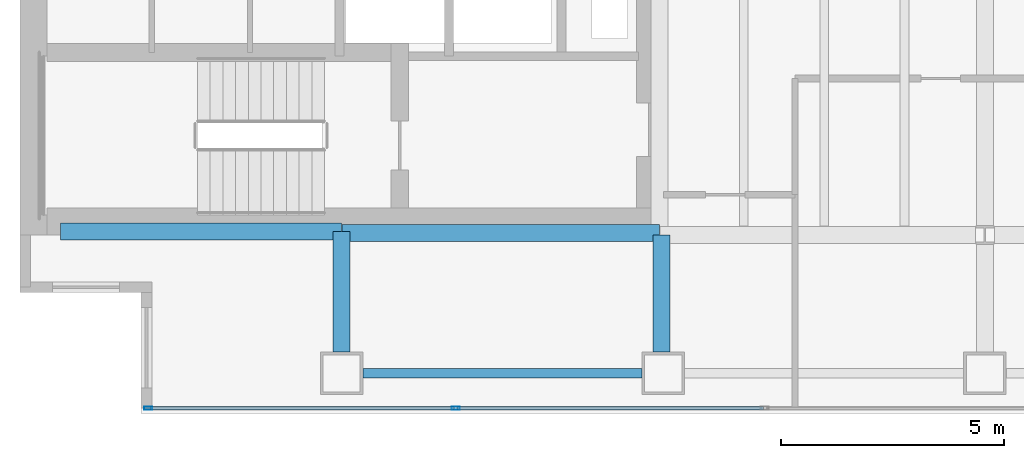
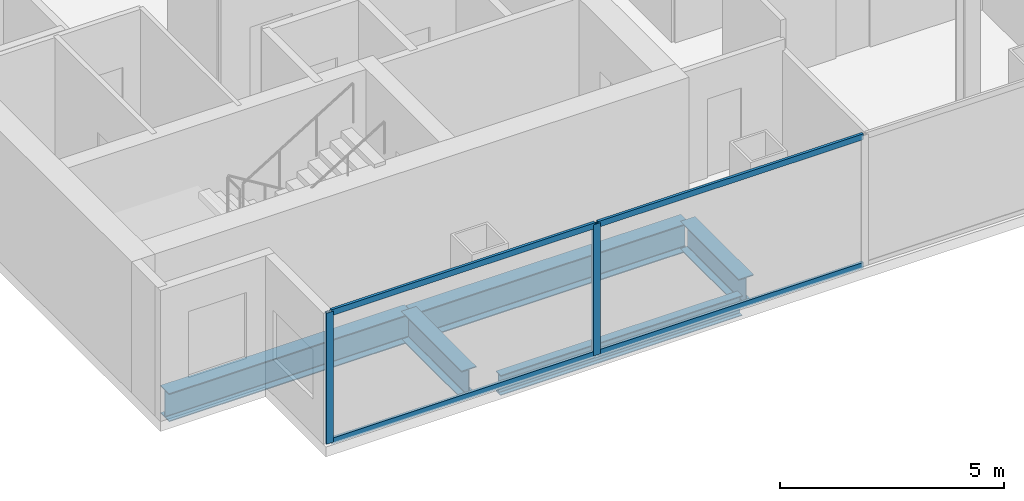
# One storey, part 2 of 24: 6 members, 5 beams, 1 element without a shape of its own.
"""IFC4 building model written with IfcOpenShell, lengths in metres."""

from ifc_helpers import new_model, si_unit, direction, frame, origin, origin_2d, place, context, subcontext, project, spatial, hollow_rectangle, i_section, extrude, material, material_profile, profile_set, type_object, element, aggregate, save


model = new_model("IFC4")

# Units and contexts
model_context = context("Model", 3, precision=1e-05, world=origin(), true_north=direction((0.0, 1.0)))
body_context = subcontext(model_context, "Body", "Model", "MODEL_VIEW")
ifc_project = project(units=[si_unit("LENGTHUNIT", "METRE"), si_unit("AREAUNIT", "SQUARE_METRE"), si_unit("VOLUMEUNIT", "CUBIC_METRE"), si_unit("PLANEANGLEUNIT", "RADIAN"), si_unit("MASSUNIT", "GRAM", prefix="KILO")], contexts=[model_context])

# Site, building, storey
site_placement = place(None, origin())
site = spatial("IfcSite", under=ifc_project, at=site_placement, CompositionType="ELEMENT")
building_placement = place(site_placement, origin())
building = spatial("IfcBuilding", under=site, at=building_placement, Name="Cobrela Telecom Tower", CompositionType="ELEMENT")
storey_placement = place(building_placement, frame((0.0, 0.0, 106.050048828125)))
storey = spatial("IfcBuildingStorey", under=building, at=storey_placement, Name="L26", CompositionType="ELEMENT", Elevation=106.050048828125)

# Beams
ifc_material_1 = material(Name="Steel ASTM A992 Grade 50", Category="steel")
ifc_material_profile_1 = material_profile(ifc_material_1, i_section(OverallWidth=0.381103515625, OverallDepth=0.77197265625, WebThickness=0.0166015625, FlangeThickness=0.027099609375, FilletRadius=0.01904296875, at=origin_2d()), Name="W30X173")
ifc_profile_set_1 = profile_set([ifc_material_profile_1], Name="Steel ASTM A992 Grade 50")
beam_type_1 = type_object("IfcBeamType", Name="BM-GIRD-04", PredefinedType="USERDEFINED", material=ifc_profile_set_1)
beam_1_placement = place(storey_placement, frame((0.905029296875, 7.280029296875, -0.656005859375), z_axis=(1.0, 0.0, 0.0), x_axis=(0.0, 1.0, 0.0)))
element("IfcBeam", 1, at=beam_1_placement, inside=storey, type_object=beam_type_1, Name="L26 Primary Girder X06", ObjectType="GIRDER", PredefinedType="USERDEFINED", context=body_context, shape_type="SweptSolid", body=[
    extrude(i_section(OverallWidth=0.381103515625, OverallDepth=0.77197265625, WebThickness=0.0166015625, FlangeThickness=0.027099609375, FilletRadius=0.01904296875, at=origin_2d()), origin(), (0.0, 0.0, 1.0), 6.2900390625),
])
beam_2_placement = place(storey_placement, frame((7.205078125, 7.239990234375, -0.656005859375), z_axis=(1.0, 0.0, 0.0), x_axis=(0.0, 1.0, 0.0)))
element("IfcBeam", 2, at=beam_2_placement, inside=storey, type_object=beam_type_1, Name="L26 Primary Girder X07", ObjectType="GIRDER", PredefinedType="USERDEFINED", context=body_context, shape_type="SweptSolid", body=[
    extrude(i_section(OverallWidth=0.381103515625, OverallDepth=0.77197265625, WebThickness=0.0166015625, FlangeThickness=0.027099609375, FilletRadius=0.01904296875, at=origin_2d()), origin(), (0.0, 0.0, 1.0), 7.10986328125),
])
beam_3_placement = place(storey_placement, frame((7.199951171875, 4.580078125, -0.656005859375), z_axis=(0.0, 1.0, 0.0), x_axis=(-1.0, 0.0, 0.0)))
element("IfcBeam", 3, at=beam_3_placement, inside=storey, type_object=beam_type_1, Name="L26 Primary Girder Y31", ObjectType="GIRDER", PredefinedType="USERDEFINED", context=body_context, shape_type="SweptSolid", body=[
    extrude(i_section(OverallWidth=0.381103515625, OverallDepth=0.77197265625, WebThickness=0.0166015625, FlangeThickness=0.027099609375, FilletRadius=0.01904296875, at=origin_2d()), origin(), (0.0, 0.0, 1.0), 2.69482421875),
])
beam_4_placement = place(storey_placement, frame((14.360107421875, 4.580078125, -0.656005859375), z_axis=(0.0, 1.0, 0.0), x_axis=(-1.0, 0.0, 0.0)))
element("IfcBeam", 4, at=beam_4_placement, inside=storey, type_object=beam_type_1, Name="L26 Primary Girder Y33", ObjectType="GIRDER", PredefinedType="USERDEFINED", context=body_context, shape_type="SweptSolid", body=[
    extrude(i_section(OverallWidth=0.381103515625, OverallDepth=0.77197265625, WebThickness=0.0166015625, FlangeThickness=0.027099609375, FilletRadius=0.01904296875, at=origin_2d()), origin(), (0.0, 0.0, 1.0), 2.614990234375),
])
ifc_material_profile_2 = material_profile(ifc_material_1, i_section(OverallWidth=0.212890625, OverallDepth=0.549072265625, WebThickness=0.0146484375, FlangeThickness=0.023681640625, FilletRadius=0.013916015625, at=origin_2d()), Name="W21X93")
ifc_profile_set_2 = profile_set([ifc_material_profile_2], Name="Steel ASTM A992 Grade 50")
beam_type_2 = type_object("IfcBeamType", Name="BM-SPAND-03", PredefinedType="SPANDREL", material=ifc_profile_set_2)
beam_5_placement = place(storey_placement, frame((7.679931640625, 4.10009765625, -0.54443359375), z_axis=(1.0, 0.0, 0.0), x_axis=(0.0, 1.0, 0.0)))
element("IfcBeam", 5, at=beam_5_placement, inside=storey, type_object=beam_type_2, Name="L26 Perimeter Spandrel X01", PredefinedType="SPANDREL", context=body_context, shape_type="SweptSolid", body=[
    extrude(i_section(OverallWidth=0.212890625, OverallDepth=0.549072265625, WebThickness=0.0146484375, FlangeThickness=0.023681640625, FilletRadius=0.013916015625, at=origin_2d()), origin(), (0.0, 0.0, 1.0), 6.239990234375),
])

# Curtain wall, members
ifc_material_2 = material(Name="Anodized Bronze Aluminium 6063-T6", Category="aluminium")
curtain_wall_type = type_object("IfcCurtainWallType", Name="CW-SYS-TEL", PredefinedType="USERDEFINED", material=ifc_material_2)
curtain_wall_placement = place(storey_placement, origin())
curtain_wall = element("IfcCurtainWall", 6, at=curtain_wall_placement, inside=storey, type_object=curtain_wall_type, Name="L26 Unitised Bronze Curtain Wall 17", ObjectType="UNITISED CURTAIN WALL", PredefinedType="USERDEFINED")
ifc_material_profile_3 = material_profile(ifc_material_2, hollow_rectangle(XDim=0.074951171875, YDim=0.179931640625, WallThickness=0.00390625, at=origin_2d()), Name="ALU 75x180x4")
ifc_profile_set_3 = profile_set([ifc_material_profile_3], Name="Anodized Bronze Aluminium 6063-T6")
member_type_1 = type_object("IfcMemberType", Name="CW-SYS-TEL-MUL", PredefinedType="MULLION", material=ifc_profile_set_3)
member_1_placement = place(storey_placement, frame((9.75341796875, 3.320068359375, 0.0), z_axis=(0.0, 0.0, 1.0), x_axis=(0.0, -1.0, 0.0)))
member_1 = element("IfcMember", 7, at=member_1_placement, type_object=member_type_1, Name="CW-TEL mullion 6", PredefinedType="MULLION", context=body_context, shape_type="SweptSolid", body=[
    extrude(hollow_rectangle(XDim=0.074951171875, YDim=0.179931640625, WallThickness=0.00390625, at=origin_2d()), origin(), (0.0, 0.0, 1.0), 3.579833984375),
])
member_2_placement = place(storey_placement, frame((2.867431640625, 3.320068359375, 0.0), z_axis=(0.0, 0.0, 1.0), x_axis=(0.0, -1.0, 0.0)))
member_2 = element("IfcMember", 8, at=member_2_placement, type_object=member_type_1, Name="CW-TEL mullion 7", PredefinedType="MULLION", context=body_context, shape_type="SweptSolid", body=[
    extrude(hollow_rectangle(XDim=0.074951171875, YDim=0.179931640625, WallThickness=0.00390625, at=origin_2d()), origin(), (0.0, 0.0, 1.0), 3.579833984375),
])
ifc_material_profile_4 = material_profile(ifc_material_2, hollow_rectangle(XDim=0.070068359375, YDim=0.159912109375, WallThickness=0.00390625, at=origin_2d()), Name="ALU 70x160x4")
ifc_profile_set_4 = profile_set([ifc_material_profile_4], Name="Anodized Bronze Aluminium 6063-T6")
member_type_2 = type_object("IfcMemberType", Name="CW-SYS-TEL-TRN", PredefinedType="USERDEFINED", material=ifc_profile_set_4)
member_3_placement = place(storey_placement, frame((16.63916015625, 3.320068359375, 0.034912109375), z_axis=(-1.0, 0.0, 0.0), x_axis=(0.0, -1.0, 0.0)))
member_3 = element("IfcMember", 9, at=member_3_placement, type_object=member_type_2, Name="CW-TEL transom 5.1", ObjectType="TRANSOM", PredefinedType="USERDEFINED", context=body_context, shape_type="SweptSolid", body=[
    extrude(hollow_rectangle(XDim=0.070068359375, YDim=0.159912109375, WallThickness=0.00390625, at=origin_2d()), origin(), (0.0, 0.0, 1.0), 6.848388671875),
])
member_4_placement = place(storey_placement, frame((16.63916015625, 3.320068359375, 3.544921875), z_axis=(-1.0, 0.0, 0.0), x_axis=(0.0, -1.0, 0.0)))
member_4 = element("IfcMember", 10, at=member_4_placement, type_object=member_type_2, Name="CW-TEL transom 5.2", ObjectType="TRANSOM", PredefinedType="USERDEFINED", context=body_context, shape_type="SweptSolid", body=[
    extrude(hollow_rectangle(XDim=0.070068359375, YDim=0.159912109375, WallThickness=0.00390625, at=origin_2d()), origin(), (0.0, 0.0, 1.0), 6.848388671875),
])
member_5_placement = place(storey_placement, frame((9.7158203125, 3.320068359375, 0.034912109375), z_axis=(-1.0, 0.0, 0.0), x_axis=(0.0, -1.0, 0.0)))
member_5 = element("IfcMember", 11, at=member_5_placement, type_object=member_type_2, Name="CW-TEL transom 6.1", ObjectType="TRANSOM", PredefinedType="USERDEFINED", context=body_context, shape_type="SweptSolid", body=[
    extrude(hollow_rectangle(XDim=0.070068359375, YDim=0.159912109375, WallThickness=0.00390625, at=origin_2d()), origin(), (0.0, 0.0, 1.0), 6.810791015625),
])
member_6_placement = place(storey_placement, frame((9.7158203125, 3.320068359375, 3.544921875), z_axis=(-1.0, 0.0, 0.0), x_axis=(0.0, -1.0, 0.0)))
member_6 = element("IfcMember", 12, at=member_6_placement, type_object=member_type_2, Name="CW-TEL transom 6.2", ObjectType="TRANSOM", PredefinedType="USERDEFINED", context=body_context, shape_type="SweptSolid", body=[
    extrude(hollow_rectangle(XDim=0.070068359375, YDim=0.159912109375, WallThickness=0.00390625, at=origin_2d()), origin(), (0.0, 0.0, 1.0), 6.810791015625),
])
aggregate(curtain_wall, [member_1, member_2, member_3, member_4, member_5, member_6])

save(model, "model.ifc")
